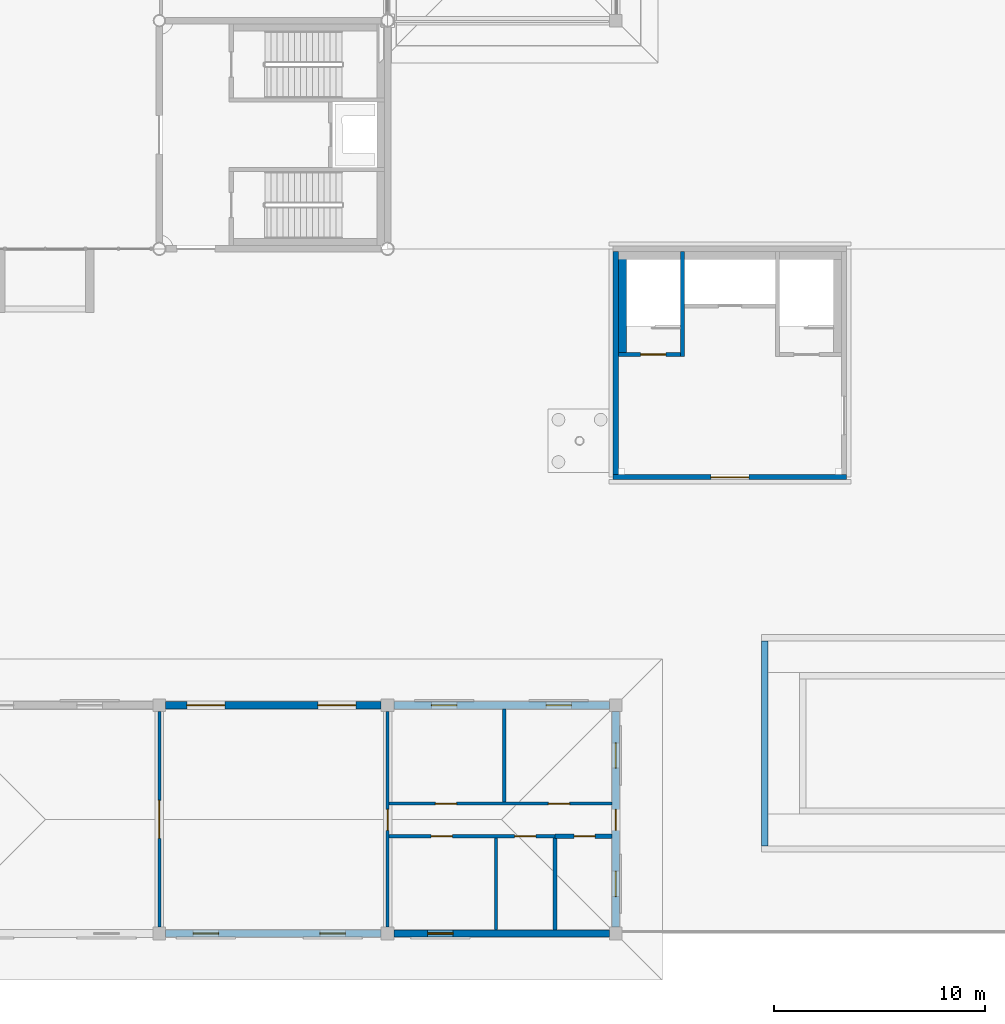
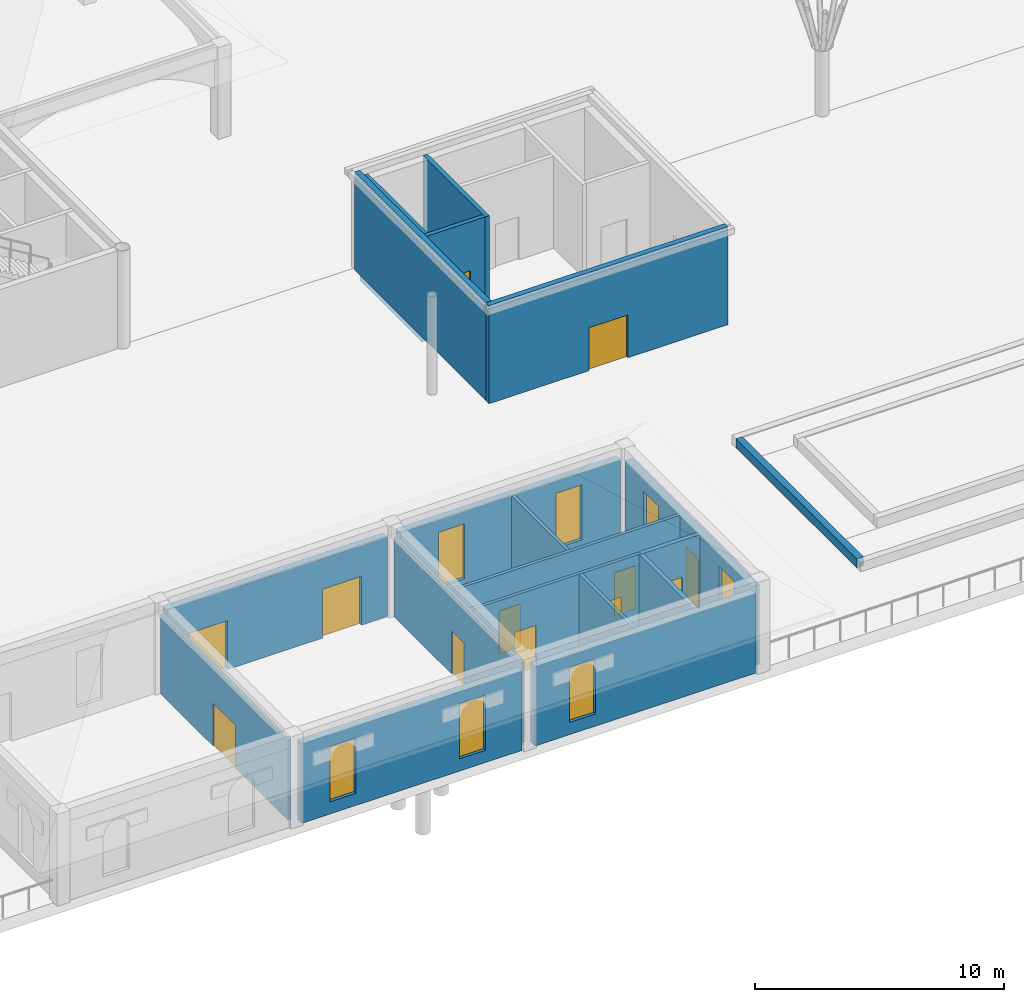
# One storey, part 48 of 91: 19 walls, 12 doors, 7 windows, 19 openings.
"""IFC4 building model written with IfcOpenShell, lengths in metres."""

from ifc_helpers import new_model, si_unit, direction, frame, frame_2d, origin, place, context, subcontext, project, spatial, rectangle, extrude, material, layer, layer_set, type_object, element, fill, save


model = new_model("IFC4")

# Units and contexts
model_context = context("Model", 3, precision=1e-05, world=origin(), true_north=direction((0.0, 1.0)))
body_context = subcontext(model_context, "Body", "Model", "MODEL_VIEW")
ifc_project = project(units=[si_unit("LENGTHUNIT", "METRE"), si_unit("AREAUNIT", "SQUARE_METRE"), si_unit("VOLUMEUNIT", "CUBIC_METRE"), si_unit("PLANEANGLEUNIT", "RADIAN"), si_unit("MASSUNIT", "GRAM", prefix="KILO")], contexts=[model_context])

# Site, building, storey
site_placement = place(None, origin())
site = spatial("IfcSite", under=ifc_project, at=site_placement, CompositionType="ELEMENT")
building_placement = place(site_placement, origin())
building = spatial("IfcBuilding", under=site, at=building_placement, Name="Magnolia Steps Interchange", CompositionType="ELEMENT")
storey_placement = place(building_placement, origin())
storey = spatial("IfcBuildingStorey", under=building, at=storey_placement, Name="L00", CompositionType="ELEMENT", Elevation=0.0)

# Wall, opening, door
ifc_material_1 = material(Name="Concrete C35", Category="concrete")
ifc_layer_1 = layer(ifc_material_1, 0.199951171875)
ifc_layer_set_1 = layer_set([ifc_layer_1], Name="Core enclosure wall 200")
wall_type_1 = type_object("IfcWallType", Name="Core enclosure wall 200", PredefinedType="SOLIDWALL", material=ifc_layer_set_1)
wall_1_placement = place(storey_placement, frame((128.925048828125, 37.39990234375, 0.0), z_axis=(0.0, 0.0, 1.0), x_axis=(1.0, 0.0, 0.0)))
wall_1 = element("IfcWall", 1, at=wall_1_placement, inside=storey, type_object=wall_type_1, Name="L00 BC3 enclosure wall", PredefinedType="SOLIDWALL", context=body_context, shape_type="SweptSolid", body=[
    extrude(rectangle(XDim=2.925048828125, YDim=0.199951171875, at=frame_2d((1.46240234375, 0.0))), origin(), (0.0, 0.0, 1.0), 4.5),
])
opening_1_placement = place(wall_1_placement, frame((1.050048828125, 0.0, 0.0)))
opening_1 = element("IfcOpeningElement", 2, at=opening_1_placement, cuts=wall_1, Name="Opening D-BC3-L00-1", PredefinedType="OPENING", context=body_context, shape_type="SweptSolid", body=[
    extrude(rectangle(XDim=1.199951171875, YDim=2.10009765625, at=frame_2d((0.60009765625, 1.050048828125))), frame((0.0, 0.10986328125, 0.0), z_axis=(0.0, -1.0, 0.0), x_axis=(1.0, 0.0, 0.0)), (0.0, 0.0, 1.0), 0.219970703125),
])
ifc_material_2 = material(Name="Painted steel", Category="steel")
door_type_1 = type_object("IfcDoorType", Name="Stair fire door 1200x2100", OperationType="NOTDEFINED", PredefinedType="DOOR", material=ifc_material_2)
door_1_placement = place(opening_1_placement, frame((1.199951171875, 0.0, 0.0), z_axis=(0.0, 0.0, 1.0), x_axis=(-1.0, 0.0, 0.0)))
door_1 = element("IfcDoor", 3, at=door_1_placement, inside=storey, type_object=door_type_1, Name="Stair door ST21 L00", OperationType="SINGLE_SWING_LEFT", OverallHeight=2.10009765625, OverallWidth=1.199951171875, PredefinedType="DOOR", context=body_context, shape_type="SweptSolid", body=[
    extrude(rectangle(XDim=1.199951171875, YDim=2.10009765625, at=frame_2d((0.60009765625, 1.050048828125))), frame((0.0, 0.02490234375, 0.0), z_axis=(0.0, -1.0, 0.0), x_axis=(1.0, 0.0, 0.0)), (0.0, 0.0, 1.0), 0.050048828125),
])
fill(opening_1, door_1)

# Walls
wall_2_placement = place(storey_placement, frame((131.949951171875, 37.300048828125, 0.0), z_axis=(0.0, 0.0, 1.0), x_axis=(0.0, 1.0, 0.0)))
element("IfcWall", 4, at=wall_2_placement, inside=storey, type_object=wall_type_1, Name="L00 BC3 enclosure wall", PredefinedType="SOLIDWALL", context=body_context, shape_type="SweptSolid", body=[
    extrude(rectangle(XDim=4.974853515625, YDim=0.199951171875, at=frame_2d((2.4873046875, 0.0))), origin(), (0.0, 0.0, 1.0), 4.5),
])
ifc_material_3 = material(Name="Concrete C35", Category="concrete")
ifc_layer_2 = layer(ifc_material_3, 0.375)
ifc_layer_set_2 = layer_set([ifc_layer_2], Name="Core lining wall 375")
wall_type_2 = type_object("IfcWallType", Name="Core lining wall 375", PredefinedType="SOLIDWALL", material=ifc_layer_set_2)
wall_3_placement = place(storey_placement, frame((129.112548828125, 37.300048828125, -0.60009765625), z_axis=(0.0, 0.0, 1.0), x_axis=(0.0, 1.0, 0.0)))
element("IfcWall", 5, at=wall_3_placement, inside=storey, type_object=wall_type_2, Name="L00 BC3 stair lining wall", PredefinedType="SOLIDWALL", context=body_context, shape_type="SweptSolid", body=[
    extrude(rectangle(XDim=4.974853515625, YDim=0.375, at=frame_2d((2.4873046875, 0.0))), origin(), (0.0, 0.0, 1.0), 5.10009765625),
])

# Wall, opening, door
ifc_material_4 = material(Name="Concrete C40", Category="concrete")
ifc_layer_3 = layer(ifc_material_4, 0.25)
ifc_layer_set_3 = layer_set([ifc_layer_3], Name="Core wall 250")
wall_type_3 = type_object("IfcWallType", Name="Core wall 250", PredefinedType="SOLIDWALL", material=ifc_layer_set_3)
wall_4_placement = place(storey_placement, frame((128.675048828125, 31.60009765625, 0.0), z_axis=(0.0, 0.0, 1.0), x_axis=(1.0, 0.0, 0.0)))
wall_4 = element("IfcWall", 6, at=wall_4_placement, inside=storey, type_object=wall_type_3, Name="Core wall BC3", PredefinedType="SOLIDWALL", context=body_context, shape_type="SweptSolid", body=[
    extrude(rectangle(XDim=11.050048828125, YDim=0.25, at=frame_2d((5.52490234375, 0.0))), origin(), (0.0, 0.0, 1.0), 4.800048828125),
])
opening_2_placement = place(wall_4_placement, frame((4.625, 0.0, 0.0)))
opening_2 = element("IfcOpeningElement", 7, at=opening_2_placement, cuts=wall_4, Name="Opening D-BC3-L00-3", PredefinedType="OPENING", context=body_context, shape_type="SweptSolid", body=[
    extrude(rectangle(XDim=1.800048828125, YDim=2.10009765625, at=frame_2d((0.89990234375, 1.050048828125))), frame((0.0, 0.135009765625, 0.0), z_axis=(0.0, -1.0, 0.0), x_axis=(1.0, 0.0, 0.0)), (0.0, 0.0, 1.0), 0.27001953125),
])
ifc_material_5 = material(Name="Timber and glass", Category="wood")
door_type_2 = type_object("IfcDoorType", Name="Core entrance door pair 1800x2100", OperationType="DOUBLE_DOOR_DOUBLE_SWING", PredefinedType="DOOR", material=ifc_material_5)
door_2_placement = place(opening_2_placement, frame((1.800048828125, 0.0, 0.0), z_axis=(0.0, 0.0, 1.0), x_axis=(-1.0, 0.0, 0.0)))
door_2 = element("IfcDoor", 8, at=door_2_placement, inside=storey, type_object=door_type_2, Name="Core entrance door BC3 L00", OperationType="DOUBLE_DOOR_DOUBLE_SWING", OverallHeight=2.10009765625, OverallWidth=1.800048828125, PredefinedType="DOOR", context=body_context, shape_type="SweptSolid", body=[
    extrude(rectangle(XDim=1.800048828125, YDim=2.10009765625, at=frame_2d((0.89990234375, 1.050048828125))), frame((0.0, 0.02490234375, 0.0), z_axis=(0.0, -1.0, 0.0), x_axis=(1.0, 0.0, 0.0)), (0.0, 0.0, 1.0), 0.050048828125),
])
fill(opening_2, door_2)

# Wall
wall_5_placement = place(storey_placement, frame((128.800048828125, 42.27490234375, 0.0), z_axis=(0.0, 0.0, 1.0), x_axis=(0.0, -1.0, 0.0)))
element("IfcWall", 9, at=wall_5_placement, inside=storey, type_object=wall_type_3, Name="Core wall BC3", PredefinedType="SOLIDWALL", context=body_context, shape_type="SweptSolid", body=[
    extrude(rectangle(XDim=10.5498046875, YDim=0.25, at=frame_2d((5.27490234375, 0.0))), origin(), (0.0, 0.0, 1.0), 4.800048828125),
])

# Wall, opening, door
ifc_material_6 = material(Name="Fair-faced blockwork", Category="masonry")
ifc_layer_4 = layer(ifc_material_6, 0.199951171875)
ifc_layer_set_4 = layer_set([ifc_layer_4], Name="Fire partition wall 200")
wall_type_4 = type_object("IfcWallType", Name="Fire partition wall 200", PredefinedType="PARTITIONING", material=ifc_layer_set_4)
wall_6_placement = place(storey_placement, frame((128.625, 14.60009765625, 0.0), z_axis=(0.0, 0.0, 1.0), x_axis=(-1.0, 0.0, 0.0)))
wall_6 = element("IfcWall", 10, at=wall_6_placement, inside=storey, type_object=wall_type_4, Name="Service store north wall", PredefinedType="PARTITIONING", context=body_context, shape_type="SweptSolid", body=[
    extrude(rectangle(XDim=2.699951171875, YDim=0.199951171875, at=frame_2d((1.35009765625, 0.0))), origin(), (0.0, 0.0, 1.0), 3.89990234375),
])
opening_3_placement = place(wall_6_placement, frame((0.800048828125, 0.0, 0.0)))
opening_3 = element("IfcOpeningElement", 11, at=opening_3_placement, cuts=wall_6, Name="Opening PS08", PredefinedType="OPENING", context=body_context, shape_type="SweptSolid", body=[
    extrude(rectangle(XDim=1.0, YDim=2.10009765625, at=frame_2d((0.5, 1.050048828125))), frame((0.0, 0.10986328125, 0.0), z_axis=(0.0, -1.0, 0.0), x_axis=(1.0, 0.0, 0.0)), (0.0, 0.0, 1.0), 0.219970703125),
])
ifc_material_7 = material(Name="Painted steel", Category="steel")
door_type_3 = type_object("IfcDoorType", Name="Plant room door 1000x2100", OperationType="NOTDEFINED", PredefinedType="DOOR", material=ifc_material_7)
door_3_placement = place(opening_3_placement, origin())
door_3 = element("IfcDoor", 12, at=door_3_placement, inside=storey, type_object=door_type_3, Name="Service store door", OperationType="SINGLE_SWING_LEFT", OverallHeight=2.10009765625, OverallWidth=1.0, PredefinedType="DOOR", context=body_context, shape_type="SweptSolid", body=[
    extrude(rectangle(XDim=1.0, YDim=2.10009765625, at=frame_2d((0.5, 1.050048828125))), frame((0.0, 0.02490234375, 0.0), z_axis=(0.0, -1.0, 0.0), x_axis=(1.0, 0.0, 0.0)), (0.0, 0.0, 1.0), 0.050048828125),
])
fill(opening_3, door_3)

# Wall
wall_7_placement = place(storey_placement, frame((125.925048828125, 10.175048828125, 0.0), z_axis=(0.0, 0.0, 1.0), x_axis=(0.0, 1.0, 0.0)))
element("IfcWall", 13, at=wall_7_placement, inside=storey, type_object=wall_type_4, Name="Service store west wall", PredefinedType="PARTITIONING", context=body_context, shape_type="SweptSolid", body=[
    extrude(rectangle(XDim=4.349853515625, YDim=0.199951171875, at=frame_2d((2.1748046875, 0.0))), origin(), (0.0, 0.0, 1.0), 3.89990234375),
])

# Wall, openings, windows
ifc_material_8 = material(Name="Lime render on masonry", Category="masonry")
ifc_layer_5 = layer(ifc_material_8, 0.35009765625)
ifc_layer_set_5 = layer_set([ifc_layer_5], Name="Lime render wall 350")
wall_type_5 = type_object("IfcWallType", Name="Lime render wall 350", PredefinedType="SOLIDWALL", material=ifc_layer_set_5)
wall_8_placement = place(storey_placement, frame((107.5, 10.0, 0.0), z_axis=(0.0, 0.0, 1.0), x_axis=(1.0, 0.0, 0.0)))
wall_8 = element("IfcWall", 14, at=wall_8_placement, inside=storey, type_object=wall_type_5, Name="Pavilion south wall", PredefinedType="SOLIDWALL", context=body_context, shape_type="SweptSolid", body=[
    extrude(rectangle(XDim=10.199951171875, YDim=0.35009765625, at=frame_2d((5.10009765625, 0.0))), origin(), (0.0, 0.0, 1.0), 3.89990234375),
])
opening_4_placement = place(wall_8_placement, frame((1.300048828125, 0.0, 0.60009765625)))
opening_4 = element("IfcOpeningElement", 15, at=opening_4_placement, cuts=wall_8, Name="Opening WN20", PredefinedType="OPENING", context=body_context, shape_type="SweptSolid", body=[
    extrude(rectangle(XDim=1.199951171875, YDim=2.699951171875, at=frame_2d((0.60009765625, 1.35009765625))), frame((0.0, 0.18505859375, 0.0), z_axis=(0.0, -1.0, 0.0), x_axis=(1.0, 0.0, 0.0)), (0.0, 0.0, 1.0), 0.3701171875),
])
opening_5_placement = place(wall_8_placement, frame((7.300048828125, 0.0, 0.60009765625)))
opening_5 = element("IfcOpeningElement", 16, at=opening_5_placement, cuts=wall_8, Name="Opening WN20", PredefinedType="OPENING", context=body_context, shape_type="SweptSolid", body=[
    extrude(rectangle(XDim=1.199951171875, YDim=2.699951171875, at=frame_2d((0.60009765625, 1.35009765625))), frame((0.0, 0.18505859375, 0.0), z_axis=(0.0, -1.0, 0.0), x_axis=(1.0, 0.0, 0.0)), (0.0, 0.0, 1.0), 0.3701171875),
])
ifc_material_9 = material(Name="Timber frame with double glazing", Category="wood")
window_type = type_object("IfcWindowType", Name="Arched window 1200 x 2700", PartitioningType="SINGLE_PANEL", PredefinedType="WINDOW", material=ifc_material_9)
window_1_placement = place(opening_4_placement, origin())
window_1 = element("IfcWindow", 17, at=window_1_placement, inside=storey, type_object=window_type, Name="Pavilion window S3", OverallHeight=2.699951171875, OverallWidth=1.199951171875, PartitioningType="SINGLE_PANEL", PredefinedType="WINDOW", context=body_context, shape_type="SweptSolid", body=[
    extrude(rectangle(XDim=1.199951171875, YDim=2.699951171875, at=frame_2d((0.60009765625, 1.35009765625))), frame((0.0, 0.030029296875, 0.0), z_axis=(0.0, -1.0, 0.0), x_axis=(1.0, 0.0, 0.0)), (0.0, 0.0, 1.0), 0.06005859375),
])
fill(opening_4, window_1)
window_2_placement = place(opening_5_placement, origin())
window_2 = element("IfcWindow", 18, at=window_2_placement, inside=storey, type_object=window_type, Name="Pavilion window S4", OverallHeight=2.699951171875, OverallWidth=1.199951171875, PartitioningType="SINGLE_PANEL", PredefinedType="WINDOW", context=body_context, shape_type="SweptSolid", body=[
    extrude(rectangle(XDim=1.199951171875, YDim=2.699951171875, at=frame_2d((0.60009765625, 1.35009765625))), frame((0.0, 0.030029296875, 0.0), z_axis=(0.0, -1.0, 0.0), x_axis=(1.0, 0.0, 0.0)), (0.0, 0.0, 1.0), 0.06005859375),
])
fill(opening_5, window_2)

# Wall, opening, window
wall_9_placement = place(storey_placement, frame((118.300048828125, 10.0, 0.0), z_axis=(0.0, 0.0, 1.0), x_axis=(1.0, 0.0, 0.0)))
wall_9 = element("IfcWall", 19, at=wall_9_placement, inside=storey, type_object=wall_type_5, Name="Pavilion south wall", PredefinedType="SOLIDWALL", context=body_context, shape_type="SweptSolid", body=[
    extrude(rectangle(XDim=10.199951171875, YDim=0.35009765625, at=frame_2d((5.10009765625, 0.0))), origin(), (0.0, 0.0, 1.0), 3.89990234375),
])
opening_6_placement = place(wall_9_placement, frame((1.60009765625, 0.0, 0.60009765625)))
opening_6 = element("IfcOpeningElement", 20, at=opening_6_placement, cuts=wall_9, Name="Opening WN20", PredefinedType="OPENING", context=body_context, shape_type="SweptSolid", body=[
    extrude(rectangle(XDim=1.199951171875, YDim=2.699951171875, at=frame_2d((0.60009765625, 1.35009765625))), frame((0.0, 0.18505859375, 0.0), z_axis=(0.0, -1.0, 0.0), x_axis=(1.0, 0.0, 0.0)), (0.0, 0.0, 1.0), 0.3701171875),
])
window_3_placement = place(opening_6_placement, origin())
window_3 = element("IfcWindow", 21, at=window_3_placement, inside=storey, type_object=window_type, Name="Pavilion window S5", OverallHeight=2.699951171875, OverallWidth=1.199951171875, PartitioningType="SINGLE_PANEL", PredefinedType="WINDOW", context=body_context, shape_type="SweptSolid", body=[
    extrude(rectangle(XDim=1.199951171875, YDim=2.699951171875, at=frame_2d((0.60009765625, 1.35009765625))), frame((0.0, 0.030029296875, 0.0), z_axis=(0.0, -1.0, 0.0), x_axis=(1.0, 0.0, 0.0)), (0.0, 0.0, 1.0), 0.06005859375),
])
fill(opening_6, window_3)

# Wall, openings, doors
wall_10_placement = place(storey_placement, frame((107.5, 20.800048828125, 0.0), z_axis=(0.0, 0.0, 1.0), x_axis=(1.0, 0.0, 0.0)))
wall_10 = element("IfcWall", 22, at=wall_10_placement, inside=storey, type_object=wall_type_5, Name="Pavilion north wall", PredefinedType="SOLIDWALL", context=body_context, shape_type="SweptSolid", body=[
    extrude(rectangle(XDim=10.199951171875, YDim=0.35009765625, at=frame_2d((5.10009765625, 0.0))), origin(), (0.0, 0.0, 1.0), 3.89990234375),
])
opening_7_placement = place(wall_10_placement, frame((1.0, 0.0, 0.0)))
opening_7 = element("IfcOpeningElement", 23, at=opening_7_placement, cuts=wall_10, Name="Opening PS02", PredefinedType="OPENING", context=body_context, shape_type="SweptSolid", body=[
    extrude(rectangle(XDim=1.800048828125, YDim=2.39990234375, at=frame_2d((0.89990234375, 1.199951171875))), frame((0.0, 0.18505859375, 0.0), z_axis=(0.0, -1.0, 0.0), x_axis=(1.0, 0.0, 0.0)), (0.0, 0.0, 1.0), 0.3701171875),
])
opening_8_placement = place(wall_10_placement, frame((7.199951171875, 0.0, 0.0)))
opening_8 = element("IfcOpeningElement", 24, at=opening_8_placement, cuts=wall_10, Name="Opening PS03", PredefinedType="OPENING", context=body_context, shape_type="SweptSolid", body=[
    extrude(rectangle(XDim=1.800048828125, YDim=2.39990234375, at=frame_2d((0.89990234375, 1.199951171875))), frame((0.0, 0.18505859375, 0.0), z_axis=(0.0, -1.0, 0.0), x_axis=(1.0, 0.0, 0.0)), (0.0, 0.0, 1.0), 0.3701171875),
])
ifc_material_10 = material(Name="Timber", Category="wood")
door_type_4 = type_object("IfcDoorType", Name="Timber double door 1800 x 2400", OperationType="DOUBLE_DOOR_DOUBLE_SWING", PredefinedType="DOOR", material=ifc_material_10)
door_4_placement = place(opening_7_placement, origin())
door_4 = element("IfcDoor", 25, at=door_4_placement, inside=storey, type_object=door_type_4, Name="Waiting lounge entrance doors west", OperationType="SINGLE_SWING_LEFT", OverallHeight=2.39990234375, OverallWidth=1.800048828125, PredefinedType="DOOR", context=body_context, shape_type="SweptSolid", body=[
    extrude(rectangle(XDim=1.800048828125, YDim=2.39990234375, at=frame_2d((0.89990234375, 1.199951171875))), frame((0.0, 0.02490234375, 0.0), z_axis=(0.0, -1.0, 0.0), x_axis=(1.0, 0.0, 0.0)), (0.0, 0.0, 1.0), 0.050048828125),
])
fill(opening_7, door_4)
door_5_placement = place(opening_8_placement, origin())
door_5 = element("IfcDoor", 26, at=door_5_placement, inside=storey, type_object=door_type_4, Name="Waiting lounge entrance doors east", OperationType="SINGLE_SWING_LEFT", OverallHeight=2.39990234375, OverallWidth=1.800048828125, PredefinedType="DOOR", context=body_context, shape_type="SweptSolid", body=[
    extrude(rectangle(XDim=1.800048828125, YDim=2.39990234375, at=frame_2d((0.89990234375, 1.199951171875))), frame((0.0, 0.02490234375, 0.0), z_axis=(0.0, -1.0, 0.0), x_axis=(1.0, 0.0, 0.0)), (0.0, 0.0, 1.0), 0.050048828125),
])
fill(opening_8, door_5)

# Wall, openings, windows
wall_11_placement = place(storey_placement, frame((118.300048828125, 20.800048828125, 0.0), z_axis=(0.0, 0.0, 1.0), x_axis=(1.0, 0.0, 0.0)))
wall_11 = element("IfcWall", 27, at=wall_11_placement, inside=storey, type_object=wall_type_5, Name="Pavilion north wall", PredefinedType="SOLIDWALL", context=body_context, shape_type="SweptSolid", body=[
    extrude(rectangle(XDim=10.199951171875, YDim=0.35009765625, at=frame_2d((5.10009765625, 0.0))), origin(), (0.0, 0.0, 1.0), 3.89990234375),
])
opening_9_placement = place(wall_11_placement, frame((1.77490234375, 0.0, 0.60009765625)))
opening_9 = element("IfcOpeningElement", 28, at=opening_9_placement, cuts=wall_11, Name="Opening WN20", PredefinedType="OPENING", context=body_context, shape_type="SweptSolid", body=[
    extrude(rectangle(XDim=1.199951171875, YDim=2.699951171875, at=frame_2d((0.60009765625, 1.35009765625))), frame((0.0, 0.18505859375, 0.0), z_axis=(0.0, -1.0, 0.0), x_axis=(1.0, 0.0, 0.0)), (0.0, 0.0, 1.0), 0.3701171875),
])
opening_10_placement = place(wall_11_placement, frame((7.199951171875, 0.0, 0.60009765625)))
opening_10 = element("IfcOpeningElement", 29, at=opening_10_placement, cuts=wall_11, Name="Opening WN20", PredefinedType="OPENING", context=body_context, shape_type="SweptSolid", body=[
    extrude(rectangle(XDim=1.199951171875, YDim=2.699951171875, at=frame_2d((0.60009765625, 1.35009765625))), frame((0.0, 0.18505859375, 0.0), z_axis=(0.0, -1.0, 0.0), x_axis=(1.0, 0.0, 0.0)), (0.0, 0.0, 1.0), 0.3701171875),
])
window_4_placement = place(opening_9_placement, origin())
window_4 = element("IfcWindow", 30, at=window_4_placement, inside=storey, type_object=window_type, Name="Pavilion window N2", OverallHeight=2.699951171875, OverallWidth=1.199951171875, PartitioningType="SINGLE_PANEL", PredefinedType="WINDOW", context=body_context, shape_type="SweptSolid", body=[
    extrude(rectangle(XDim=1.199951171875, YDim=2.699951171875, at=frame_2d((0.60009765625, 1.35009765625))), frame((0.0, 0.030029296875, 0.0), z_axis=(0.0, -1.0, 0.0), x_axis=(1.0, 0.0, 0.0)), (0.0, 0.0, 1.0), 0.06005859375),
])
fill(opening_9, window_4)
window_5_placement = place(opening_10_placement, origin())
window_5 = element("IfcWindow", 31, at=window_5_placement, inside=storey, type_object=window_type, Name="Pavilion window N3", OverallHeight=2.699951171875, OverallWidth=1.199951171875, PartitioningType="SINGLE_PANEL", PredefinedType="WINDOW", context=body_context, shape_type="SweptSolid", body=[
    extrude(rectangle(XDim=1.199951171875, YDim=2.699951171875, at=frame_2d((0.60009765625, 1.35009765625))), frame((0.0, 0.030029296875, 0.0), z_axis=(0.0, -1.0, 0.0), x_axis=(1.0, 0.0, 0.0)), (0.0, 0.0, 1.0), 0.06005859375),
])
fill(opening_10, window_5)

# Wall, openings, windows, door
wall_12_placement = place(storey_placement, frame((128.800048828125, 20.5, 0.0), z_axis=(0.0, 0.0, 1.0), x_axis=(0.0, -1.0, 0.0)))
wall_12 = element("IfcWall", 32, at=wall_12_placement, inside=storey, type_object=wall_type_5, Name="Pavilion east wall", PredefinedType="SOLIDWALL", context=body_context, shape_type="SweptSolid", body=[
    extrude(rectangle(XDim=10.199951171875, YDim=0.35009765625, at=frame_2d((5.10009765625, 0.0))), origin(), (0.0, 0.0, 1.0), 3.89990234375),
])
opening_11_placement = place(wall_12_placement, frame((1.47509765625, 0.0, 0.60009765625)))
opening_11 = element("IfcOpeningElement", 33, at=opening_11_placement, cuts=wall_12, Name="Opening WN20", PredefinedType="OPENING", context=body_context, shape_type="SweptSolid", body=[
    extrude(rectangle(XDim=1.199951171875, YDim=2.699951171875, at=frame_2d((0.60009765625, 1.35009765625))), frame((0.0, 0.18505859375, 0.0), z_axis=(0.0, -1.0, 0.0), x_axis=(1.0, 0.0, 0.0)), (0.0, 0.0, 1.0), 0.3701171875),
])
opening_12_placement = place(wall_12_placement, frame((4.625, 0.0, 0.0)))
opening_12 = element("IfcOpeningElement", 34, at=opening_12_placement, cuts=wall_12, Name="Opening PS05", PredefinedType="OPENING", context=body_context, shape_type="SweptSolid", body=[
    extrude(rectangle(XDim=1.0, YDim=2.39990234375, at=frame_2d((0.5, 1.199951171875))), frame((0.0, 0.18505859375, 0.0), z_axis=(0.0, -1.0, 0.0), x_axis=(1.0, 0.0, 0.0)), (0.0, 0.0, 1.0), 0.3701171875),
])
opening_13_placement = place(wall_12_placement, frame((7.550048828125, 0.0, 0.60009765625)))
opening_13 = element("IfcOpeningElement", 35, at=opening_13_placement, cuts=wall_12, Name="Opening WN20", PredefinedType="OPENING", context=body_context, shape_type="SweptSolid", body=[
    extrude(rectangle(XDim=1.199951171875, YDim=2.699951171875, at=frame_2d((0.60009765625, 1.35009765625))), frame((0.0, 0.18505859375, 0.0), z_axis=(0.0, -1.0, 0.0), x_axis=(1.0, 0.0, 0.0)), (0.0, 0.0, 1.0), 0.3701171875),
])
window_6_placement = place(opening_11_placement, origin())
window_6 = element("IfcWindow", 36, at=window_6_placement, inside=storey, type_object=window_type, Name="Pavilion window E1", OverallHeight=2.699951171875, OverallWidth=1.199951171875, PartitioningType="SINGLE_PANEL", PredefinedType="WINDOW", context=body_context, shape_type="SweptSolid", body=[
    extrude(rectangle(XDim=1.199951171875, YDim=2.699951171875, at=frame_2d((0.60009765625, 1.35009765625))), frame((0.0, 0.030029296875, 0.0), z_axis=(0.0, -1.0, 0.0), x_axis=(1.0, 0.0, 0.0)), (0.0, 0.0, 1.0), 0.06005859375),
])
fill(opening_11, window_6)
window_7_placement = place(opening_13_placement, origin())
window_7 = element("IfcWindow", 37, at=window_7_placement, inside=storey, type_object=window_type, Name="Pavilion window E2", OverallHeight=2.699951171875, OverallWidth=1.199951171875, PartitioningType="SINGLE_PANEL", PredefinedType="WINDOW", context=body_context, shape_type="SweptSolid", body=[
    extrude(rectangle(XDim=1.199951171875, YDim=2.699951171875, at=frame_2d((0.60009765625, 1.35009765625))), frame((0.0, 0.030029296875, 0.0), z_axis=(0.0, -1.0, 0.0), x_axis=(1.0, 0.0, 0.0)), (0.0, 0.0, 1.0), 0.06005859375),
])
fill(opening_13, window_7)
ifc_material_11 = material(Name="Timber", Category="wood")
door_type_5 = type_object("IfcDoorType", Name="Timber door 1000 x 2400", OperationType="NOTDEFINED", PredefinedType="DOOR", material=ifc_material_11)
door_6_placement = place(opening_12_placement, origin())
door_6 = element("IfcDoor", 38, at=door_6_placement, inside=storey, type_object=door_type_5, Name="Staff exit door", OperationType="SINGLE_SWING_LEFT", OverallHeight=2.39990234375, OverallWidth=1.0, PredefinedType="DOOR", context=body_context, shape_type="SweptSolid", body=[
    extrude(rectangle(XDim=1.0, YDim=2.39990234375, at=frame_2d((0.5, 1.199951171875))), frame((0.0, 0.02490234375, 0.0), z_axis=(0.0, -1.0, 0.0), x_axis=(1.0, 0.0, 0.0)), (0.0, 0.0, 1.0), 0.050048828125),
])
fill(opening_12, door_6)

# Wall, opening, door
ifc_material_12 = material(Name="Fair-faced blockwork", Category="masonry")
ifc_layer_6 = layer(ifc_material_12, 0.14990234375)
ifc_layer_set_6 = layer_set([ifc_layer_6], Name="Partition wall 150")
wall_type_6 = type_object("IfcWallType", Name="Partition wall 150", PredefinedType="PARTITIONING", material=ifc_layer_set_6)
wall_13_placement = place(storey_placement, frame((107.199951171875, 10.300048828125, 0.0), z_axis=(0.0, 0.0, 1.0), x_axis=(0.0, 1.0, 0.0)))
wall_13 = element("IfcWall", 39, at=wall_13_placement, inside=storey, type_object=wall_type_6, Name="Hall and lounge partition", PredefinedType="PARTITIONING", context=body_context, shape_type="SweptSolid", body=[
    extrude(rectangle(XDim=10.199951171875, YDim=0.14990234375, at=frame_2d((5.10009765625, 0.0))), origin(), (0.0, 0.0, 1.0), 3.89990234375),
])
opening_14_placement = place(wall_13_placement, frame((4.199951171875, 0.0, 0.0)))
opening_14 = element("IfcOpeningElement", 40, at=opening_14_placement, cuts=wall_13, Name="Opening PS06", PredefinedType="OPENING", context=body_context, shape_type="SweptSolid", body=[
    extrude(rectangle(XDim=1.800048828125, YDim=2.10009765625, at=frame_2d((0.89990234375, 1.050048828125))), frame((0.0, 0.0849609375, 0.0), z_axis=(0.0, -1.0, 0.0), x_axis=(1.0, 0.0, 0.0)), (0.0, 0.0, 1.0), 0.169921875),
])
ifc_material_13 = material(Name="Timber", Category="wood")
door_type_6 = type_object("IfcDoorType", Name="Room door pair 1800x2100", OperationType="DOUBLE_DOOR_DOUBLE_SWING", PredefinedType="DOOR", material=ifc_material_13)
door_7_placement = place(opening_14_placement, origin())
door_7 = element("IfcDoor", 41, at=door_7_placement, inside=storey, type_object=door_type_6, Name="Hall to lounge doors", OperationType="SINGLE_SWING_LEFT", OverallHeight=2.10009765625, OverallWidth=1.800048828125, PredefinedType="DOOR", context=body_context, shape_type="SweptSolid", body=[
    extrude(rectangle(XDim=1.800048828125, YDim=2.10009765625, at=frame_2d((0.89990234375, 1.050048828125))), frame((0.0, 0.02490234375, 0.0), z_axis=(0.0, -1.0, 0.0), x_axis=(1.0, 0.0, 0.0)), (0.0, 0.0, 1.0), 0.050048828125),
])
fill(opening_14, door_7)

wall_14_placement = place(storey_placement, frame((118.0, 20.5, 0.0), z_axis=(0.0, 0.0, 1.0), x_axis=(0.0, -1.0, 0.0)))
wall_14 = element("IfcWall", 42, at=wall_14_placement, inside=storey, type_object=wall_type_6, Name="Lounge and staff wing partition", PredefinedType="PARTITIONING", context=body_context, shape_type="SweptSolid", body=[
    extrude(rectangle(XDim=10.199951171875, YDim=0.14990234375, at=frame_2d((5.10009765625, 0.0))), origin(), (0.0, 0.0, 1.0), 3.89990234375),
])
opening_15_placement = place(wall_14_placement, frame((4.625, 0.0, 0.0)))
opening_15 = element("IfcOpeningElement", 43, at=opening_15_placement, cuts=wall_14, Name="Opening PS07", PredefinedType="OPENING", context=body_context, shape_type="SweptSolid", body=[
    extrude(rectangle(XDim=1.0, YDim=2.10009765625, at=frame_2d((0.5, 1.050048828125))), frame((0.0, 0.0849609375, 0.0), z_axis=(0.0, -1.0, 0.0), x_axis=(1.0, 0.0, 0.0)), (0.0, 0.0, 1.0), 0.169921875),
])
ifc_material_14 = material(Name="Timber", Category="wood")
door_type_7 = type_object("IfcDoorType", Name="Room door 1000x2100", OperationType="NOTDEFINED", PredefinedType="DOOR", material=ifc_material_14)
door_8_placement = place(opening_15_placement, origin())
door_8 = element("IfcDoor", 44, at=door_8_placement, inside=storey, type_object=door_type_7, Name="Corridor door", OperationType="SINGLE_SWING_LEFT", OverallHeight=2.10009765625, OverallWidth=1.0, PredefinedType="DOOR", context=body_context, shape_type="SweptSolid", body=[
    extrude(rectangle(XDim=1.0, YDim=2.10009765625, at=frame_2d((0.5, 1.050048828125))), frame((0.0, 0.02490234375, 0.0), z_axis=(0.0, -1.0, 0.0), x_axis=(1.0, 0.0, 0.0)), (0.0, 0.0, 1.0), 0.050048828125),
])
fill(opening_15, door_8)

# Wall, openings, doors
wall_15_placement = place(storey_placement, frame((125.925048828125, 14.60009765625, 0.0), z_axis=(0.0, 0.0, 1.0), x_axis=(-1.0, 0.0, 0.0)))
wall_15 = element("IfcWall", 45, at=wall_15_placement, inside=storey, type_object=wall_type_6, Name="First aid and toilet north wall", PredefinedType="PARTITIONING", context=body_context, shape_type="SweptSolid", body=[
    extrude(rectangle(XDim=7.85009765625, YDim=0.14990234375, at=frame_2d((3.925048828125, 0.0))), origin(), (0.0, 0.0, 1.0), 3.89990234375),
])
opening_16_placement = place(wall_15_placement, frame((0.91259765625, 0.0, 0.0)))
opening_16 = element("IfcOpeningElement", 46, at=opening_16_placement, cuts=wall_15, Name="Opening PS09", PredefinedType="OPENING", context=body_context, shape_type="SweptSolid", body=[
    extrude(rectangle(XDim=1.0, YDim=2.10009765625, at=frame_2d((0.5, 1.050048828125))), frame((0.0, 0.0849609375, 0.0), z_axis=(0.0, -1.0, 0.0), x_axis=(1.0, 0.0, 0.0)), (0.0, 0.0, 1.0), 0.169921875),
])
opening_17_placement = place(wall_15_placement, frame((4.862548828125, 0.0, 0.0)))
opening_17 = element("IfcOpeningElement", 47, at=opening_17_placement, cuts=wall_15, Name="Opening PS10", PredefinedType="OPENING", context=body_context, shape_type="SweptSolid", body=[
    extrude(rectangle(XDim=1.0, YDim=2.10009765625, at=frame_2d((0.5, 1.050048828125))), frame((0.0, 0.0849609375, 0.0), z_axis=(0.0, -1.0, 0.0), x_axis=(1.0, 0.0, 0.0)), (0.0, 0.0, 1.0), 0.169921875),
])
door_9_placement = place(opening_16_placement, origin())
door_9 = element("IfcDoor", 48, at=door_9_placement, inside=storey, type_object=door_type_7, Name="Accessible toilet door", OperationType="SINGLE_SWING_LEFT", OverallHeight=2.10009765625, OverallWidth=1.0, PredefinedType="DOOR", context=body_context, shape_type="SweptSolid", body=[
    extrude(rectangle(XDim=1.0, YDim=2.10009765625, at=frame_2d((0.5, 1.050048828125))), frame((0.0, 0.02490234375, 0.0), z_axis=(0.0, -1.0, 0.0), x_axis=(1.0, 0.0, 0.0)), (0.0, 0.0, 1.0), 0.050048828125),
])
fill(opening_16, door_9)
door_10_placement = place(opening_17_placement, origin())
door_10 = element("IfcDoor", 49, at=door_10_placement, inside=storey, type_object=door_type_7, Name="First aid room door", OperationType="SINGLE_SWING_LEFT", OverallHeight=2.10009765625, OverallWidth=1.0, PredefinedType="DOOR", context=body_context, shape_type="SweptSolid", body=[
    extrude(rectangle(XDim=1.0, YDim=2.10009765625, at=frame_2d((0.5, 1.050048828125))), frame((0.0, 0.02490234375, 0.0), z_axis=(0.0, -1.0, 0.0), x_axis=(1.0, 0.0, 0.0)), (0.0, 0.0, 1.0), 0.050048828125),
])
fill(opening_17, door_10)

# Wall
wall_16_placement = place(storey_placement, frame((123.125, 10.175048828125, 0.0), z_axis=(0.0, 0.0, 1.0), x_axis=(0.0, 1.0, 0.0)))
element("IfcWall", 50, at=wall_16_placement, inside=storey, type_object=wall_type_6, Name="First aid and toilet partition", PredefinedType="PARTITIONING", context=body_context, shape_type="SweptSolid", body=[
    extrude(rectangle(XDim=4.349853515625, YDim=0.14990234375, at=frame_2d((2.1748046875, 0.0))), origin(), (0.0, 0.0, 1.0), 3.89990234375),
])

# Wall, openings, doors
wall_17_placement = place(storey_placement, frame((118.074951171875, 16.14990234375, 0.0), z_axis=(0.0, 0.0, 1.0), x_axis=(1.0, 0.0, 0.0)))
wall_17 = element("IfcWall", 51, at=wall_17_placement, inside=storey, type_object=wall_type_6, Name="Corridor north wall", PredefinedType="PARTITIONING", context=body_context, shape_type="SweptSolid", body=[
    extrude(rectangle(XDim=10.550048828125, YDim=0.14990234375, at=frame_2d((5.27490234375, 0.0))), origin(), (0.0, 0.0, 1.0), 3.89990234375),
])
opening_18_placement = place(wall_17_placement, frame((2.1875, 0.0, 0.0)))
opening_18 = element("IfcOpeningElement", 52, at=opening_18_placement, cuts=wall_17, Name="Opening PS11", PredefinedType="OPENING", context=body_context, shape_type="SweptSolid", body=[
    extrude(rectangle(XDim=1.0, YDim=2.10009765625, at=frame_2d((0.5, 1.050048828125))), frame((0.0, 0.0849609375, 0.0), z_axis=(0.0, -1.0, 0.0), x_axis=(1.0, 0.0, 0.0)), (0.0, 0.0, 1.0), 0.169921875),
])
opening_19_placement = place(wall_17_placement, frame((7.53759765625, 0.0, 0.0)))
opening_19 = element("IfcOpeningElement", 53, at=opening_19_placement, cuts=wall_17, Name="Opening PS12", PredefinedType="OPENING", context=body_context, shape_type="SweptSolid", body=[
    extrude(rectangle(XDim=1.0, YDim=2.10009765625, at=frame_2d((0.5, 1.050048828125))), frame((0.0, 0.0849609375, 0.0), z_axis=(0.0, -1.0, 0.0), x_axis=(1.0, 0.0, 0.0)), (0.0, 0.0, 1.0), 0.169921875),
])
door_11_placement = place(opening_18_placement, origin())
door_11 = element("IfcDoor", 54, at=door_11_placement, inside=storey, type_object=door_type_7, Name="Lost property office door", OperationType="SINGLE_SWING_LEFT", OverallHeight=2.10009765625, OverallWidth=1.0, PredefinedType="DOOR", context=body_context, shape_type="SweptSolid", body=[
    extrude(rectangle(XDim=1.0, YDim=2.10009765625, at=frame_2d((0.5, 1.050048828125))), frame((0.0, 0.02490234375, 0.0), z_axis=(0.0, -1.0, 0.0), x_axis=(1.0, 0.0, 0.0)), (0.0, 0.0, 1.0), 0.050048828125),
])
fill(opening_18, door_11)
door_12_placement = place(opening_19_placement, origin())
door_12 = element("IfcDoor", 55, at=door_12_placement, inside=storey, type_object=door_type_7, Name="Staff room door", OperationType="SINGLE_SWING_LEFT", OverallHeight=2.10009765625, OverallWidth=1.0, PredefinedType="DOOR", context=body_context, shape_type="SweptSolid", body=[
    extrude(rectangle(XDim=1.0, YDim=2.10009765625, at=frame_2d((0.5, 1.050048828125))), frame((0.0, 0.02490234375, 0.0), z_axis=(0.0, -1.0, 0.0), x_axis=(1.0, 0.0, 0.0)), (0.0, 0.0, 1.0), 0.050048828125),
])
fill(opening_19, door_12)

# Walls
wall_18_placement = place(storey_placement, frame((123.52490234375, 16.22509765625, 0.0), z_axis=(0.0, 0.0, 1.0), x_axis=(0.0, 1.0, 0.0)))
element("IfcWall", 56, at=wall_18_placement, inside=storey, type_object=wall_type_6, Name="Lost property and staff room partition", PredefinedType="PARTITIONING", context=body_context, shape_type="SweptSolid", body=[
    extrude(rectangle(XDim=4.39990234375, YDim=0.14990234375, at=frame_2d((2.199951171875, 0.0))), origin(), (0.0, 0.0, 1.0), 3.89990234375),
])
ifc_material_15 = material(Name="Lime render on masonry", Category="masonry")
ifc_layer_7 = layer(ifc_material_15, 0.300048828125)
ifc_layer_set_7 = layer_set([ifc_layer_7], Name="Planter wall 300")
wall_type_7 = type_object("IfcWallType", Name="Planter wall 300", PredefinedType="PARAPET", material=ifc_layer_set_7)
wall_19_placement = place(storey_placement, frame((135.85009765625, 23.85009765625, 0.0), z_axis=(0.0, 0.0, 1.0), x_axis=(0.0, -1.0, 0.0)))
element("IfcWall", 57, at=wall_19_placement, inside=storey, type_object=wall_type_7, Name="Forecourt garden bed 2 wall W", PredefinedType="PARAPET", context=body_context, shape_type="SweptSolid", body=[
    extrude(rectangle(XDim=9.7001953125, YDim=0.300048828125, at=frame_2d((4.85009765625, 0.0))), origin(), (0.0, 0.0, 1.0), 0.449951171875),
])

save(model, "model.ifc")
